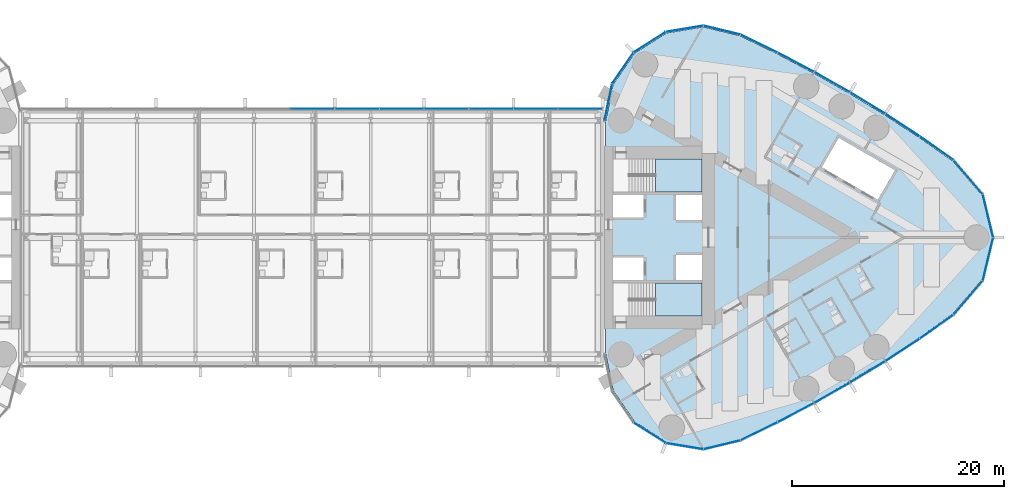
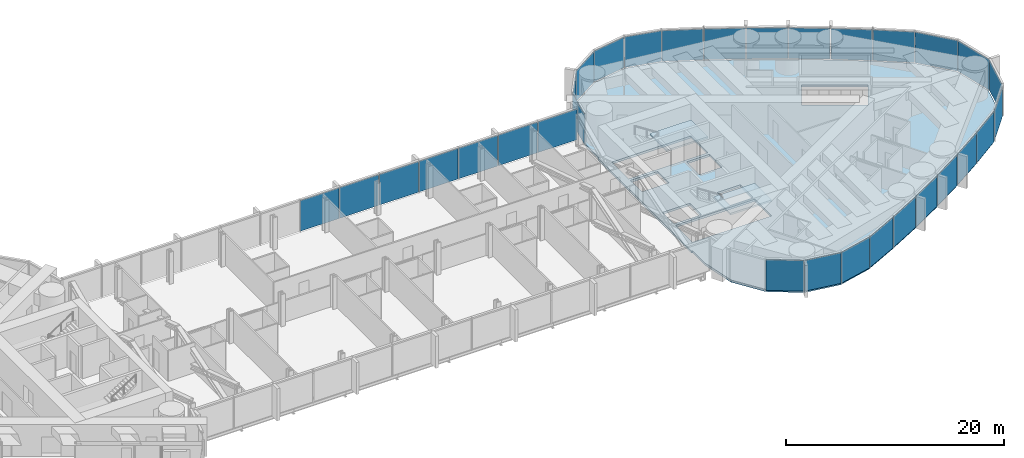
# One storey, part 14 of 23: 31 plates, 3 slabs, 4 elements without a shape of their own.
"""IFC4 building model written with IfcOpenShell, lengths in metres."""

from ifc_helpers import new_model, si_unit, direction, frame, origin, origin_2d, place, context, subcontext, project, spatial, polyline, rectangle, outline, extrude, material, layer, layer_set, type_object, element, aggregate, save


model = new_model("IFC4")

# Units and contexts
model_context = context("Model", 3, precision=1e-05, world=origin(), true_north=direction((0.0, 1.0)))
body_context = subcontext(model_context, "Body", "Model", "MODEL_VIEW")
ifc_project = project(units=[si_unit("LENGTHUNIT", "METRE"), si_unit("AREAUNIT", "SQUARE_METRE"), si_unit("VOLUMEUNIT", "CUBIC_METRE"), si_unit("PLANEANGLEUNIT", "RADIAN"), si_unit("MASSUNIT", "GRAM", prefix="KILO")], contexts=[model_context])

# Site, building, storey
site_placement = place(None, origin())
site = spatial("IfcSite", under=ifc_project, at=site_placement, CompositionType="ELEMENT")
building_placement = place(site_placement, origin())
building = spatial("IfcBuilding", under=site, at=building_placement, Name="Lancet Gate Hotel", CompositionType="ELEMENT")
storey_placement = place(building_placement, frame((0.0, 0.0, 240.5)))
storey = spatial("IfcBuildingStorey", under=building, at=storey_placement, Name="L64", CompositionType="ELEMENT", Elevation=240.5)

# Curtain wall, plates
ifc_material_1 = material(Name="Aluminium curtain wall", Category="aluminium")
curtain_wall_type_1 = type_object("IfcCurtainWallType", Name="Bridge block curtain wall", PredefinedType="USERDEFINED", material=ifc_material_1)
curtain_wall_1_placement = place(storey_placement, origin())
curtain_wall_1 = element("IfcCurtainWall", 1, at=curtain_wall_1_placement, inside=storey, type_object=curtain_wall_type_1, Name="Bridge block L64 curtain wall N", ObjectType="UNITISED CURTAIN WALL", PredefinedType="USERDEFINED")
ifc_material_2 = material(Name="Glass double glazed unit 8-16-6", Category="glass")
ifc_layer_1 = layer(ifc_material_2, 0.030029296875)
ifc_layer_set_1 = layer_set([ifc_layer_1], Name="Block vision panel")
plate_type_1 = type_object("IfcPlateType", Name="Block vision panel", PredefinedType="CURTAIN_PANEL", material=ifc_layer_set_1)
plate_1_placement = place(storey_placement, frame((25.24609375, 12.1201171875, 0.0), z_axis=(0.0, 0.0, 1.0), x_axis=(-1.0, 0.0, 0.0)))
plate_1 = element("IfcPlate", 2, at=plate_1_placement, type_object=plate_type_1, Name="Bridge block L64 curtain wall N panel 1", PredefinedType="CURTAIN_PANEL", context=body_context, shape_type="SweptSolid", body=[
    extrude(rectangle(XDim=4.142578125, YDim=0.030029296875, at=origin_2d()), origin(), (0.0, 0.0, 1.0), 3.449951171875),
])
plate_2_placement = place(storey_placement, frame((21.03857421875, 12.1201171875, 0.0), z_axis=(0.0, 0.0, 1.0), x_axis=(-1.0, 0.0, 0.0)))
plate_2 = element("IfcPlate", 3, at=plate_2_placement, type_object=plate_type_1, Name="Bridge block L64 curtain wall N panel 2", PredefinedType="CURTAIN_PANEL", context=body_context, shape_type="SweptSolid", body=[
    extrude(rectangle(XDim=4.142578125, YDim=0.030029296875, at=origin_2d()), origin(), (0.0, 0.0, 1.0), 3.449951171875),
])
plate_3_placement = place(storey_placement, frame((16.830810546875, 12.1201171875, 0.0), z_axis=(0.0, 0.0, 1.0), x_axis=(-1.0, 0.0, 0.0)))
plate_3 = element("IfcPlate", 4, at=plate_3_placement, type_object=plate_type_1, Name="Bridge block L64 curtain wall N panel 3", PredefinedType="CURTAIN_PANEL", context=body_context, shape_type="SweptSolid", body=[
    extrude(rectangle(XDim=4.142578125, YDim=0.030029296875, at=origin_2d()), origin(), (0.0, 0.0, 1.0), 3.449951171875),
])
plate_4_placement = place(storey_placement, frame((12.623046875, 12.1201171875, 0.0), z_axis=(0.0, 0.0, 1.0), x_axis=(-1.0, 0.0, 0.0)))
plate_4 = element("IfcPlate", 5, at=plate_4_placement, type_object=plate_type_1, Name="Bridge block L64 curtain wall N panel 4", PredefinedType="CURTAIN_PANEL", context=body_context, shape_type="SweptSolid", body=[
    extrude(rectangle(XDim=4.142578125, YDim=0.030029296875, at=origin_2d()), origin(), (0.0, 0.0, 1.0), 3.449951171875),
])
plate_5_placement = place(storey_placement, frame((8.415283203125, 12.1201171875, 0.0), z_axis=(0.0, 0.0, 1.0), x_axis=(-1.0, 0.0, 0.0)))
plate_5 = element("IfcPlate", 6, at=plate_5_placement, type_object=plate_type_1, Name="Bridge block L64 curtain wall N panel 5", PredefinedType="CURTAIN_PANEL", context=body_context, shape_type="SweptSolid", body=[
    extrude(rectangle(XDim=4.142578125, YDim=0.030029296875, at=origin_2d()), origin(), (0.0, 0.0, 1.0), 3.449951171875),
])
plate_6_placement = place(storey_placement, frame((4.207763671875, 12.1201171875, 0.0), z_axis=(0.0, 0.0, 1.0), x_axis=(-1.0, 0.0, 0.0)))
plate_6 = element("IfcPlate", 7, at=plate_6_placement, type_object=plate_type_1, Name="Bridge block L64 curtain wall N panel 6", PredefinedType="CURTAIN_PANEL", context=body_context, shape_type="SweptSolid", body=[
    extrude(rectangle(XDim=4.142578125, YDim=0.030029296875, at=origin_2d()), origin(), (0.0, 0.0, 1.0), 3.449951171875),
])
plate_7_placement = place(storey_placement, frame((0.0, 12.1201171875, 0.0), z_axis=(0.0, 0.0, 1.0), x_axis=(-1.0, 0.0, 0.0)))
plate_7 = element("IfcPlate", 8, at=plate_7_placement, type_object=plate_type_1, Name="Bridge block L64 curtain wall N panel 7", PredefinedType="CURTAIN_PANEL", context=body_context, shape_type="SweptSolid", body=[
    extrude(rectangle(XDim=4.142578125, YDim=0.030029296875, at=origin_2d()), origin(), (0.0, 0.0, 1.0), 3.449951171875),
])
aggregate(curtain_wall_1, [plate_1, plate_2, plate_3, plate_4, plate_5, plate_6, plate_7])

# Slab
ifc_material_3 = material(Name="Concrete C50/60", Category="concrete")
ifc_layer_2 = layer(ifc_material_3, 0.25)
ifc_layer_set_2 = layer_set([ifc_layer_2], Name="Floor slab 250")
slab_type_1 = type_object("IfcSlabType", Name="Floor slab 250", PredefinedType="FLOOR", material=ifc_layer_set_2)
slab_1_placement = place(storey_placement, frame((0.0, 0.0, -0.25)))
element("IfcSlab", 9, at=slab_1_placement, inside=storey, type_object=slab_type_1, Name="T2 L64 floor slab", PredefinedType="FLOOR", context=body_context, shape_type="SweptSolid", body=[
    extrude(outline(polyline([(27.5, -8.60009765625), (27.6201171875, -8.60009765625), (27.6201171875, -10.93603515625), (28.329345703125, -14.419677734375), (30.33740234375, -17.338134765625), (33.326904296875, -19.2392578125), (36.82177734375, -19.81982421875), (40.2763671875, -18.98486328125), (43.753662109375, -17.2890625), (47.18603515625, -15.47998046875), (50.5595703125, -13.56396484375), (53.87158203125, -11.54296875), (57.118408203125, -9.4189453125), (60.2861328125, -7.20166015625), (62.99658203125, -4.03759765625), (63.968017578125, 0.0), (62.99658203125, 4.03759765625), (60.2861328125, 7.20166015625), (57.118408203125, 9.4189453125), (53.87158203125, 11.54296875), (50.5595703125, 13.56396484375), (47.18603515625, 15.47998046875), (43.753662109375, 17.2890625), (40.2763671875, 18.98486328125), (36.82177734375, 19.81982421875), (33.326904296875, 19.2392578125), (30.33740234375, 17.338134765625), (28.329345703125, 14.419677734375), (27.6201171875, 10.93603515625), (27.6201171875, 8.60009765625), (27.5, 8.60009765625), (27.5, 8.199951171875), (27.5, -8.199951171875), (27.5, -8.60009765625)]), holes=[polyline([(36.699951171875, -7.39990234375), (36.699951171875, -4.300048828125), (28.300048828125, -4.300048828125), (28.300048828125, -7.39990234375), (36.699951171875, -7.39990234375)]), polyline([(28.300048828125, -4.0), (31.199951171875, -4.0), (31.199951171875, -1.89990234375), (28.300048828125, -1.89990234375), (28.300048828125, -4.0)]), polyline([(34.25, -4.0), (36.699951171875, -4.0), (36.699951171875, -1.64990234375), (34.25, -1.64990234375), (34.25, -4.0)]), polyline([(36.699951171875, 1.64990234375), (36.699951171875, 4.0), (34.25, 4.0), (34.25, 1.64990234375), (36.699951171875, 1.64990234375)]), polyline([(28.300048828125, 1.89990234375), (31.199951171875, 1.89990234375), (31.199951171875, 4.0), (28.300048828125, 4.0), (28.300048828125, 1.89990234375)]), polyline([(28.300048828125, 4.300048828125), (36.699951171875, 4.300048828125), (36.699951171875, 7.39990234375), (28.300048828125, 7.39990234375), (28.300048828125, 4.300048828125)]), polyline([(53.242919921875, 3.555908203125), (54.843017578125, 6.326904296875), (49.56103515625, 9.376953125), (47.9609375, 6.60595703125), (53.242919921875, 3.555908203125)])]), origin(), (0.0, 0.0, 1.0), 0.25),
])

# Stair, slab
ifc_material_4 = material(Name="Exit stair 20 risers 1500")
stair_type = type_object("IfcStairType", Name="Exit stair 20 risers 1500", PredefinedType="HALF_TURN_STAIR", material=ifc_material_4)
stair_1_placement = place(storey_placement, origin())
stair_1 = element("IfcStair", 10, at=stair_1_placement, inside=storey, type_object=stair_type, Name="T2 stair 1 L64", PredefinedType="HALF_TURN_STAIR")
ifc_material_5 = material(Name="Concrete C40/50", Category="concrete")
ifc_layer_3 = layer(ifc_material_5, 0.199951171875)
ifc_layer_set_3 = layer_set([ifc_layer_3], Name="Stair landing 200")
slab_type_2 = type_object("IfcSlabType", Name="Stair landing 200", PredefinedType="LANDING", material=ifc_layer_set_3)
slab_2_placement = place(storey_placement, frame((0.0, 0.0, 1.60009765625)))
slab_2 = element("IfcSlab", 11, at=slab_2_placement, type_object=slab_type_2, Name="ST3 landing 2", PredefinedType="LANDING", context=body_context, shape_type="SweptSolid", body=[
    extrude(outline(polyline([(32.320068359375, -7.39990234375), (36.699951171875, -7.39990234375), (36.699951171875, -4.300048828125), (32.320068359375, -4.300048828125), (32.320068359375, -7.39990234375)])), origin(), (0.0, 0.0, 1.0), 0.199951171875),
])
aggregate(stair_1, [slab_2])

stair_2_placement = place(storey_placement, origin())
stair_2 = element("IfcStair", 12, at=stair_2_placement, inside=storey, type_object=stair_type, Name="T2 stair 2 L64", PredefinedType="HALF_TURN_STAIR")
slab_3_placement = place(storey_placement, frame((0.0, 0.0, 1.60009765625)))
slab_3 = element("IfcSlab", 13, at=slab_3_placement, type_object=slab_type_2, Name="ST4 landing 2", PredefinedType="LANDING", context=body_context, shape_type="SweptSolid", body=[
    extrude(outline(polyline([(32.320068359375, 4.300048828125), (36.699951171875, 4.300048828125), (36.699951171875, 7.39990234375), (32.320068359375, 7.39990234375), (32.320068359375, 4.300048828125)])), origin(), (0.0, 0.0, 1.0), 0.199951171875),
])
aggregate(stair_2, [slab_3])

# Curtain wall, plates
ifc_material_6 = material(Name="Aluminium curtain wall", Category="aluminium")
curtain_wall_type_2 = type_object("IfcCurtainWallType", Name="Tower unitised curtain wall", PredefinedType="USERDEFINED", material=ifc_material_6)
curtain_wall_2_placement = place(storey_placement, origin())
curtain_wall_2 = element("IfcCurtainWall", 14, at=curtain_wall_2_placement, inside=storey, type_object=curtain_wall_type_2, Name="T2 L64 curtain wall 1", ObjectType="UNITISED CURTAIN WALL", PredefinedType="USERDEFINED")
ifc_material_7 = material(Name="Glass double glazed unit 8-16-6", Category="glass")
ifc_layer_4 = layer(ifc_material_7, 0.030029296875)
ifc_layer_set_4 = layer_set([ifc_layer_4], Name="Vision panel double glazed")
plate_type_2 = type_object("IfcPlateType", Name="Vision panel double glazed", PredefinedType="CURTAIN_PANEL", material=ifc_layer_set_4)
plate_8_placement = place(storey_placement, frame((31.767822265625, -18.389892578125, 0.0), z_axis=(0.0, 0.0, 1.0), x_axis=(0.843845020422, -0.536586974785, 0.0)))
plate_8 = element("IfcPlate", 15, at=plate_8_placement, type_object=plate_type_2, Name="T2 L64 curtain wall 1 panel 3", PredefinedType="CURTAIN_PANEL", context=body_context, shape_type="SweptSolid", body=[
    extrude(rectangle(XDim=3.526611328125, YDim=0.030029296875, at=origin_2d()), origin(), (0.0, 0.0, 1.0), 3.449951171875),
])
plate_9_placement = place(storey_placement, frame((35.0546875, -19.64794921875, 0.0), z_axis=(0.0, 0.0, 1.0), x_axis=(0.986480101775, -0.163881081283, 0.0)))
plate_9 = element("IfcPlate", 16, at=plate_9_placement, type_object=plate_type_2, Name="T2 L64 curtain wall 1 panel 4", PredefinedType="CURTAIN_PANEL", context=body_context, shape_type="SweptSolid", body=[
    extrude(rectangle(XDim=3.526611328125, YDim=0.030029296875, at=origin_2d()), origin(), (0.0, 0.0, 1.0), 3.449951171875),
])
plate_10_placement = place(storey_placement, frame((38.57177734375, -19.520263671875, 0.0), z_axis=(0.0, 0.0, 1.0), x_axis=(0.972013837597, 0.234923603582, 0.0)))
plate_10 = element("IfcPlate", 17, at=plate_10_placement, type_object=plate_type_2, Name="T2 L64 curtain wall 1 panel 5", PredefinedType="CURTAIN_PANEL", context=body_context, shape_type="SweptSolid", body=[
    extrude(rectangle(XDim=3.526611328125, YDim=0.030029296875, at=origin_2d()), origin(), (0.0, 0.0, 1.0), 3.449951171875),
])
plate_11_placement = place(storey_placement, frame((42.062744140625, -18.247314453125, 0.0), z_axis=(0.0, 0.0, 1.0), x_axis=(0.898823462202, 0.438310830114, 0.0)))
plate_11 = element("IfcPlate", 18, at=plate_11_placement, type_object=plate_type_2, Name="T2 L64 curtain wall 1 panel 6", PredefinedType="CURTAIN_PANEL", context=body_context, shape_type="SweptSolid", body=[
    extrude(rectangle(XDim=3.818603515625, YDim=0.030029296875, at=origin_2d()), origin(), (0.0, 0.0, 1.0), 3.449951171875),
])
plate_12_placement = place(storey_placement, frame((45.52587890625, -16.49072265625, 0.0), z_axis=(0.0, 0.0, 1.0), x_axis=(0.884622760861, 0.466307378204, 0.0)))
plate_12 = element("IfcPlate", 19, at=plate_12_placement, type_object=plate_type_2, Name="T2 L64 curtain wall 1 panel 7", PredefinedType="CURTAIN_PANEL", context=body_context, shape_type="SweptSolid", body=[
    extrude(rectangle(XDim=3.818603515625, YDim=0.030029296875, at=origin_2d()), origin(), (0.0, 0.0, 1.0), 3.449951171875),
])
plate_13_placement = place(storey_placement, frame((48.93212890625, -14.626220703125, 0.0), z_axis=(0.0, 0.0, 1.0), x_axis=(0.869550293306, 0.493844395951, 0.0)))
plate_13 = element("IfcPlate", 20, at=plate_13_placement, type_object=plate_type_2, Name="T2 L64 curtain wall 1 panel 8", PredefinedType="CURTAIN_PANEL", context=body_context, shape_type="SweptSolid", body=[
    extrude(rectangle(XDim=3.818603515625, YDim=0.030029296875, at=origin_2d()), origin(), (0.0, 0.0, 1.0), 3.449951171875),
])
plate_14_placement = place(storey_placement, frame((52.278076171875, -12.65576171875, 0.0), z_axis=(0.0, 0.0, 1.0), x_axis=(0.853620912967, 0.520894746513, 0.0)))
plate_14 = element("IfcPlate", 21, at=plate_14_placement, type_object=plate_type_2, Name="T2 L64 curtain wall 1 panel 9", PredefinedType="CURTAIN_PANEL", context=body_context, shape_type="SweptSolid", body=[
    extrude(rectangle(XDim=3.818603515625, YDim=0.030029296875, at=origin_2d()), origin(), (0.0, 0.0, 1.0), 3.449951171875),
])
plate_15_placement = place(storey_placement, frame((55.560791015625, -10.581298828125, 0.0), z_axis=(0.0, 0.0, 1.0), x_axis=(0.83685031771, 0.547431772688, 0.0)))
plate_15 = element("IfcPlate", 22, at=plate_15_placement, type_object=plate_type_2, Name="T2 L64 curtain wall 1 panel 10", PredefinedType="CURTAIN_PANEL", context=body_context, shape_type="SweptSolid", body=[
    extrude(rectangle(XDim=3.818603515625, YDim=0.030029296875, at=origin_2d()), origin(), (0.0, 0.0, 1.0), 3.449951171875),
])
plate_16_placement = place(storey_placement, frame((58.776611328125, -8.40478515625, 0.0), z_axis=(0.0, 0.0, 1.0), x_axis=(0.819255034386, 0.573429323137, 0.0)))
plate_16 = element("IfcPlate", 23, at=plate_16_placement, type_object=plate_type_2, Name="T2 L64 curtain wall 1 panel 11", PredefinedType="CURTAIN_PANEL", context=body_context, shape_type="SweptSolid", body=[
    extrude(rectangle(XDim=3.818603515625, YDim=0.030029296875, at=origin_2d()), origin(), (0.0, 0.0, 1.0), 3.449951171875),
])
plate_17_placement = place(storey_placement, frame((61.737060546875, -5.692626953125, 0.0), z_axis=(0.0, 0.0, 1.0), x_axis=(0.650551562434, 0.759462088991, 0.0)))
plate_17 = element("IfcPlate", 24, at=plate_17_placement, type_object=plate_type_2, Name="T2 L64 curtain wall 1 panel 12", PredefinedType="CURTAIN_PANEL", context=body_context, shape_type="SweptSolid", body=[
    extrude(rectangle(XDim=4.1455078125, YDim=0.030029296875, at=origin_2d()), origin(), (0.0, 0.0, 1.0), 3.449951171875),
])
plate_18_placement = place(storey_placement, frame((63.598876953125, -2.046875, 0.0), z_axis=(0.0, 0.0, 1.0), x_axis=(0.233916001796, 0.972256809749, 0.0)))
plate_18 = element("IfcPlate", 25, at=plate_18_placement, type_object=plate_type_2, Name="T2 L64 curtain wall 1 panel 13", PredefinedType="CURTAIN_PANEL", context=body_context, shape_type="SweptSolid", body=[
    extrude(rectangle(XDim=4.1455078125, YDim=0.030029296875, at=origin_2d()), origin(), (0.0, 0.0, 1.0), 3.449951171875),
])
plate_19_placement = place(storey_placement, frame((63.598876953125, 2.046875, 0.0), z_axis=(0.0, 0.0, 1.0), x_axis=(-0.233916001796, 0.972256809749, 0.0)))
plate_19 = element("IfcPlate", 26, at=plate_19_placement, type_object=plate_type_2, Name="T2 L64 curtain wall 1 panel 14", PredefinedType="CURTAIN_PANEL", context=body_context, shape_type="SweptSolid", body=[
    extrude(rectangle(XDim=4.1455078125, YDim=0.030029296875, at=origin_2d()), origin(), (0.0, 0.0, 1.0), 3.449951171875),
])
plate_20_placement = place(storey_placement, frame((61.737060546875, 5.692626953125, 0.0), z_axis=(0.0, 0.0, 1.0), x_axis=(-0.650551562434, 0.759462088991, 0.0)))
plate_20 = element("IfcPlate", 27, at=plate_20_placement, type_object=plate_type_2, Name="T2 L64 curtain wall 1 panel 15", PredefinedType="CURTAIN_PANEL", context=body_context, shape_type="SweptSolid", body=[
    extrude(rectangle(XDim=4.1455078125, YDim=0.030029296875, at=origin_2d()), origin(), (0.0, 0.0, 1.0), 3.449951171875),
])
plate_21_placement = place(storey_placement, frame((58.776611328125, 8.40478515625, 0.0), z_axis=(0.0, 0.0, 1.0), x_axis=(-0.819255034386, 0.573429323137, 0.0)))
plate_21 = element("IfcPlate", 28, at=plate_21_placement, type_object=plate_type_2, Name="T2 L64 curtain wall 1 panel 16", PredefinedType="CURTAIN_PANEL", context=body_context, shape_type="SweptSolid", body=[
    extrude(rectangle(XDim=3.818603515625, YDim=0.030029296875, at=origin_2d()), origin(), (0.0, 0.0, 1.0), 3.449951171875),
])
plate_22_placement = place(storey_placement, frame((55.560791015625, 10.581298828125, 0.0), z_axis=(0.0, 0.0, 1.0), x_axis=(-0.83685031771, 0.547431772688, 0.0)))
plate_22 = element("IfcPlate", 29, at=plate_22_placement, type_object=plate_type_2, Name="T2 L64 curtain wall 1 panel 17", PredefinedType="CURTAIN_PANEL", context=body_context, shape_type="SweptSolid", body=[
    extrude(rectangle(XDim=3.818603515625, YDim=0.030029296875, at=origin_2d()), origin(), (0.0, 0.0, 1.0), 3.449951171875),
])
plate_23_placement = place(storey_placement, frame((52.278076171875, 12.65576171875, 0.0), z_axis=(0.0, 0.0, 1.0), x_axis=(-0.853620912967, 0.520894746513, 0.0)))
plate_23 = element("IfcPlate", 30, at=plate_23_placement, type_object=plate_type_2, Name="T2 L64 curtain wall 1 panel 18", PredefinedType="CURTAIN_PANEL", context=body_context, shape_type="SweptSolid", body=[
    extrude(rectangle(XDim=3.818603515625, YDim=0.030029296875, at=origin_2d()), origin(), (0.0, 0.0, 1.0), 3.449951171875),
])
plate_24_placement = place(storey_placement, frame((48.93212890625, 14.626220703125, 0.0), z_axis=(0.0, 0.0, 1.0), x_axis=(-0.869550293306, 0.493844395951, 0.0)))
plate_24 = element("IfcPlate", 31, at=plate_24_placement, type_object=plate_type_2, Name="T2 L64 curtain wall 1 panel 19", PredefinedType="CURTAIN_PANEL", context=body_context, shape_type="SweptSolid", body=[
    extrude(rectangle(XDim=3.818603515625, YDim=0.030029296875, at=origin_2d()), origin(), (0.0, 0.0, 1.0), 3.449951171875),
])
plate_25_placement = place(storey_placement, frame((45.52587890625, 16.49072265625, 0.0), z_axis=(0.0, 0.0, 1.0), x_axis=(-0.884622760861, 0.466307378204, 0.0)))
plate_25 = element("IfcPlate", 32, at=plate_25_placement, type_object=plate_type_2, Name="T2 L64 curtain wall 1 panel 20", PredefinedType="CURTAIN_PANEL", context=body_context, shape_type="SweptSolid", body=[
    extrude(rectangle(XDim=3.818603515625, YDim=0.030029296875, at=origin_2d()), origin(), (0.0, 0.0, 1.0), 3.449951171875),
])
plate_26_placement = place(storey_placement, frame((42.062744140625, 18.247314453125, 0.0), z_axis=(0.0, 0.0, 1.0), x_axis=(-0.898823462202, 0.438310830114, 0.0)))
plate_26 = element("IfcPlate", 33, at=plate_26_placement, type_object=plate_type_2, Name="T2 L64 curtain wall 1 panel 21", PredefinedType="CURTAIN_PANEL", context=body_context, shape_type="SweptSolid", body=[
    extrude(rectangle(XDim=3.818603515625, YDim=0.030029296875, at=origin_2d()), origin(), (0.0, 0.0, 1.0), 3.449951171875),
])
plate_27_placement = place(storey_placement, frame((38.57177734375, 19.520263671875, 0.0), z_axis=(0.0, 0.0, 1.0), x_axis=(-0.972013837597, 0.234923603582, 0.0)))
plate_27 = element("IfcPlate", 34, at=plate_27_placement, type_object=plate_type_2, Name="T2 L64 curtain wall 1 panel 22", PredefinedType="CURTAIN_PANEL", context=body_context, shape_type="SweptSolid", body=[
    extrude(rectangle(XDim=3.526611328125, YDim=0.030029296875, at=origin_2d()), origin(), (0.0, 0.0, 1.0), 3.449951171875),
])
plate_28_placement = place(storey_placement, frame((35.0546875, 19.64794921875, 0.0), z_axis=(0.0, 0.0, 1.0), x_axis=(-0.986480101775, -0.163881081283, 0.0)))
plate_28 = element("IfcPlate", 35, at=plate_28_placement, type_object=plate_type_2, Name="T2 L64 curtain wall 1 panel 23", PredefinedType="CURTAIN_PANEL", context=body_context, shape_type="SweptSolid", body=[
    extrude(rectangle(XDim=3.526611328125, YDim=0.030029296875, at=origin_2d()), origin(), (0.0, 0.0, 1.0), 3.449951171875),
])
plate_29_placement = place(storey_placement, frame((31.767822265625, 18.389892578125, 0.0), z_axis=(0.0, 0.0, 1.0), x_axis=(-0.843845020422, -0.536586974785, 0.0)))
plate_29 = element("IfcPlate", 36, at=plate_29_placement, type_object=plate_type_2, Name="T2 L64 curtain wall 1 panel 24", PredefinedType="CURTAIN_PANEL", context=body_context, shape_type="SweptSolid", body=[
    extrude(rectangle(XDim=3.526611328125, YDim=0.030029296875, at=origin_2d()), origin(), (0.0, 0.0, 1.0), 3.449951171875),
])
plate_30_placement = place(storey_placement, frame((29.234619140625, 15.947021484375, 0.0), z_axis=(0.0, 0.0, 1.0), x_axis=(-0.566823864908, -0.823839005007, 0.0)))
plate_30 = element("IfcPlate", 37, at=plate_30_placement, type_object=plate_type_2, Name="T2 L64 curtain wall 1 panel 25", PredefinedType="CURTAIN_PANEL", context=body_context, shape_type="SweptSolid", body=[
    extrude(rectangle(XDim=3.526611328125, YDim=0.030029296875, at=origin_2d()), origin(), (0.0, 0.0, 1.0), 3.449951171875),
])
plate_31_placement = place(storey_placement, frame((27.8583984375, 12.707763671875, 0.0), z_axis=(0.0, 0.0, 1.0), x_axis=(-0.199533486841, -0.979891008036, 0.0)))
plate_31 = element("IfcPlate", 38, at=plate_31_placement, type_object=plate_type_2, Name="T2 L64 curtain wall 1 panel 26", PredefinedType="CURTAIN_PANEL", context=body_context, shape_type="SweptSolid", body=[
    extrude(rectangle(XDim=3.526611328125, YDim=0.030029296875, at=origin_2d()), origin(), (0.0, 0.0, 1.0), 3.449951171875),
])
aggregate(curtain_wall_2, [plate_8, plate_9, plate_10, plate_11, plate_12, plate_13, plate_14, plate_15, plate_16, plate_17, plate_18, plate_19, plate_20, plate_21, plate_22, plate_23, plate_24, plate_25, plate_26, plate_27, plate_28, plate_29, plate_30, plate_31])

save(model, "model.ifc")
